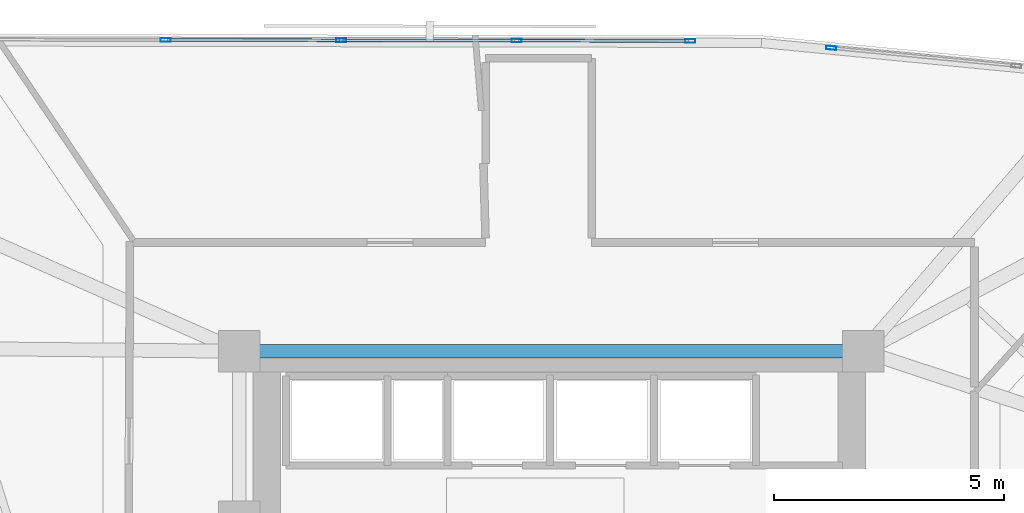
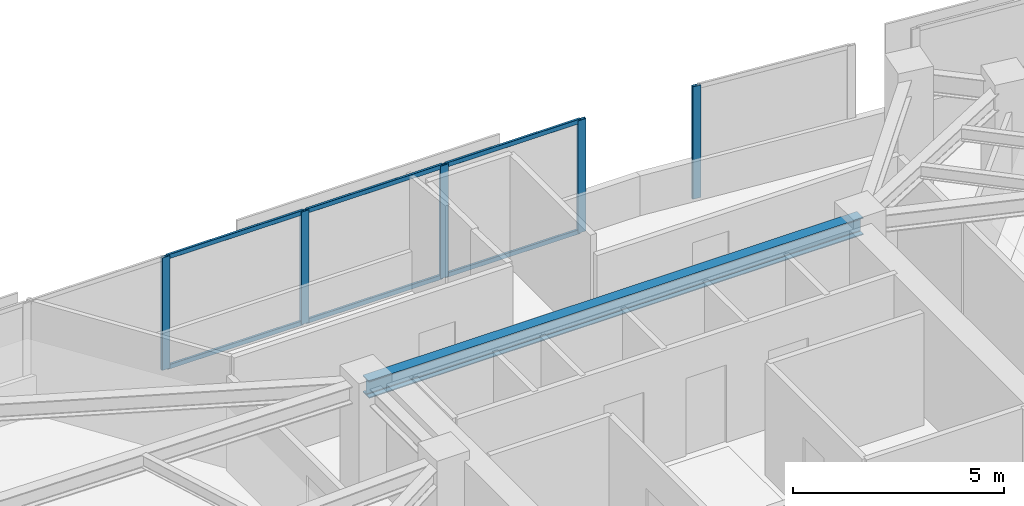
# One storey, part 3 of 13: 11 members, 1 beam, 2 elements without a shape of their own.
"""IFC4 building model written with IfcOpenShell, lengths in metres."""

from ifc_helpers import new_model, si_unit, direction, frame, origin, origin_2d, place, context, subcontext, project, spatial, hollow_rectangle, i_section, extrude, material, material_profile, profile_set, type_object, element, aggregate, save


model = new_model("IFC4")

# Units and contexts
model_context = context("Model", 3, precision=1e-05, world=origin(), true_north=direction((0.0, 1.0)))
body_context = subcontext(model_context, "Body", "Model", "MODEL_VIEW")
ifc_project = project(units=[si_unit("LENGTHUNIT", "METRE"), si_unit("AREAUNIT", "SQUARE_METRE"), si_unit("VOLUMEUNIT", "CUBIC_METRE"), si_unit("PLANEANGLEUNIT", "RADIAN"), si_unit("MASSUNIT", "GRAM", prefix="KILO")], contexts=[model_context])

# Site, building, storey
site_placement = place(None, origin())
site = spatial("IfcSite", under=ifc_project, at=site_placement, CompositionType="ELEMENT")
building_placement = place(site_placement, origin())
building = spatial("IfcBuilding", under=site, at=building_placement, Name="Narakoshi Arena Tower", CompositionType="ELEMENT")
storey_placement = place(building_placement, frame((0.0, 0.0, 257.219970703125)))
storey = spatial("IfcBuildingStorey", under=building, at=storey_placement, Name="L70", CompositionType="ELEMENT", Elevation=257.219970703125)

# Beam
ifc_material_1 = material(Name="Structural steel S355J2", Category="steel")
ifc_material_profile_1 = material_profile(ifc_material_1, i_section(OverallWidth=0.300048828125, OverallDepth=0.5, WebThickness=0.014404296875, FlangeThickness=0.028076171875, FilletRadius=0.027099609375, at=origin_2d()), Name="HE500B")
ifc_profile_set_1 = profile_set([ifc_material_profile_1], Name="Structural steel S355J2")
beam_type = type_object("IfcBeamType", Name="BM-PRI-500", PredefinedType="BEAM", material=ifc_profile_set_1)
beam_placement = place(storey_placement, frame((72.0, 56.5, 3.010009765625), z_axis=(1.0, 0.0, 0.0), x_axis=(0.0, 1.0, 0.0)))
element("IfcBeam", 1, at=beam_placement, inside=storey, type_object=beam_type, Name="L70 Core Perimeter Frame Beam CC5-CC6", PredefinedType="BEAM", context=body_context, shape_type="SweptSolid", body=[
    extrude(i_section(OverallWidth=0.300048828125, OverallDepth=0.5, WebThickness=0.014404296875, FlangeThickness=0.028076171875, FilletRadius=0.027099609375, at=origin_2d()), origin(), (0.0, 0.0, 1.0), 13.550048828125),
])

# Curtain wall, member
ifc_material_2 = material(Name="Anodised bronze aluminium 6063-T6", Category="aluminium")
curtain_wall_type = type_object("IfcCurtainWallType", Name="CW-HYP-HIGH", PredefinedType="NOTDEFINED", material=ifc_material_2)
curtain_wall_1_placement = place(storey_placement, origin())
curtain_wall_1 = element("IfcCurtainWall", 2, at=curtain_wall_1_placement, inside=storey, type_object=curtain_wall_type, Name="L70 Folded Hypotenuse Curtain Wall 1-2", PredefinedType="NOTDEFINED")
ifc_material_profile_2 = material_profile(ifc_material_2, hollow_rectangle(XDim=0.080078125, YDim=0.219970703125, WallThickness=0.0048828125, OuterFilletRadius=0.006103515625, at=origin_2d()), Name="MUL220x80x5")
ifc_profile_set_2 = profile_set([ifc_material_profile_2], Name="Anodised bronze aluminium 6063-T6")
member_type_1 = type_object("IfcMemberType", Name="MEM-MUL-220", PredefinedType="MULLION", material=ifc_profile_set_2)
member_1_placement = place(storey_placement, frame((84.853515625, 63.084716796875, 0.0), z_axis=(0.0, 0.0, 1.0), x_axis=(-0.096842858471, -0.995299683896, 0.0)))
member_1 = element("IfcMember", 3, at=member_1_placement, type_object=member_type_1, Name="CW-03 mullion 2", PredefinedType="MULLION", context=body_context, shape_type="SweptSolid", body=[
    extrude(hollow_rectangle(XDim=0.080078125, YDim=0.219970703125, WallThickness=0.0048828125, OuterFilletRadius=0.006103515625, at=origin_2d()), origin(), (0.0, 0.0, 1.0), 3.260009765625),
])
aggregate(curtain_wall_1, [member_1])

# Curtain wall, members
curtain_wall_2_placement = place(storey_placement, origin())
curtain_wall_2 = element("IfcCurtainWall", 4, at=curtain_wall_2_placement, inside=storey, type_object=curtain_wall_type, Name="L70 Folded Hypotenuse Curtain Wall 2-1", PredefinedType="NOTDEFINED")
member_2_placement = place(storey_placement, frame((81.792236328125, 63.236083984375, 0.0), z_axis=(0.0, 0.0, 1.0), x_axis=(-0.001819896899, -0.999998343986, 0.0)))
member_2 = element("IfcMember", 5, at=member_2_placement, type_object=member_type_1, Name="CW-03 mullion 1", PredefinedType="MULLION", context=body_context, shape_type="SweptSolid", body=[
    extrude(hollow_rectangle(XDim=0.080078125, YDim=0.219970703125, WallThickness=0.0048828125, OuterFilletRadius=0.006103515625, at=origin_2d()), origin(), (0.0, 0.0, 1.0), 3.260009765625),
])
member_3_placement = place(storey_placement, frame((78.0224609375, 63.242919921875, 0.0), z_axis=(0.0, 0.0, 1.0), x_axis=(-0.001819896899, -0.999998343986, 0.0)))
member_3 = element("IfcMember", 6, at=member_3_placement, type_object=member_type_1, Name="CW-03 mullion 2", PredefinedType="MULLION", context=body_context, shape_type="SweptSolid", body=[
    extrude(hollow_rectangle(XDim=0.080078125, YDim=0.219970703125, WallThickness=0.0048828125, OuterFilletRadius=0.006103515625, at=origin_2d()), origin(), (0.0, 0.0, 1.0), 3.260009765625),
])
member_4_placement = place(storey_placement, frame((74.212890625, 63.249755859375, 0.0), z_axis=(0.0, 0.0, 1.0), x_axis=(-0.001819896899, -0.999998343986, 0.0)))
member_4 = element("IfcMember", 7, at=member_4_placement, type_object=member_type_1, Name="CW-03 mullion 3", PredefinedType="MULLION", context=body_context, shape_type="SweptSolid", body=[
    extrude(hollow_rectangle(XDim=0.080078125, YDim=0.219970703125, WallThickness=0.0048828125, OuterFilletRadius=0.006103515625, at=origin_2d()), origin(), (0.0, 0.0, 1.0), 3.260009765625),
])
member_5_placement = place(storey_placement, frame((70.403076171875, 63.2568359375, 0.0), z_axis=(0.0, 0.0, 1.0), x_axis=(-0.001819896899, -0.999998343986, 0.0)))
member_5 = element("IfcMember", 8, at=member_5_placement, type_object=member_type_1, Name="CW-03 mullion 4", PredefinedType="MULLION", context=body_context, shape_type="SweptSolid", body=[
    extrude(hollow_rectangle(XDim=0.080078125, YDim=0.219970703125, WallThickness=0.0048828125, OuterFilletRadius=0.006103515625, at=origin_2d()), origin(), (0.0, 0.0, 1.0), 3.260009765625),
])
ifc_material_profile_3 = material_profile(ifc_material_2, hollow_rectangle(XDim=0.06494140625, YDim=0.1298828125, WallThickness=0.00390625, OuterFilletRadius=0.0048828125, at=origin_2d()), Name="TRN130x65x4")
ifc_profile_set_3 = profile_set([ifc_material_profile_3], Name="Anodised bronze aluminium 6063-T6")
member_type_2 = type_object("IfcMemberType", Name="MEM-TRN-130", PredefinedType="USERDEFINED", material=ifc_profile_set_3)
member_6_placement = place(storey_placement, frame((81.752197265625, 63.236083984375, 0.032470703125), z_axis=(-0.999998283738, 0.001852706408, 0.0), x_axis=(-0.001852706408, -0.999998283738, 0.0)))
member_6 = element("IfcMember", 9, at=member_6_placement, type_object=member_type_2, Name="CW-03 transom 1.1", ObjectType="TRANSOM", PredefinedType="USERDEFINED", context=body_context, shape_type="SweptSolid", body=[
    extrude(hollow_rectangle(XDim=0.06494140625, YDim=0.1298828125, WallThickness=0.00390625, OuterFilletRadius=0.0048828125, at=origin_2d()), origin(), (0.0, 0.0, 1.0), 3.689697265625),
])
member_7_placement = place(storey_placement, frame((81.752197265625, 63.236083984375, 3.2275390625), z_axis=(-0.999998283738, 0.001852706408, 0.0), x_axis=(-0.001852706408, -0.999998283738, 0.0)))
member_7 = element("IfcMember", 10, at=member_7_placement, type_object=member_type_2, Name="CW-03 transom 1.2", ObjectType="TRANSOM", PredefinedType="USERDEFINED", context=body_context, shape_type="SweptSolid", body=[
    extrude(hollow_rectangle(XDim=0.06494140625, YDim=0.1298828125, WallThickness=0.00390625, OuterFilletRadius=0.0048828125, at=origin_2d()), origin(), (0.0, 0.0, 1.0), 3.689697265625),
])
member_8_placement = place(storey_placement, frame((77.982666015625, 63.242919921875, 0.032470703125), z_axis=(-0.999998320389, 0.001832817502, 0.0), x_axis=(-0.001832817502, -0.999998320389, 0.0)))
member_8 = element("IfcMember", 11, at=member_8_placement, type_object=member_type_2, Name="CW-03 transom 2.1", ObjectType="TRANSOM", PredefinedType="USERDEFINED", context=body_context, shape_type="SweptSolid", body=[
    extrude(hollow_rectangle(XDim=0.06494140625, YDim=0.1298828125, WallThickness=0.00390625, OuterFilletRadius=0.0048828125, at=origin_2d()), origin(), (0.0, 0.0, 1.0), 3.729736328125),
])
member_9_placement = place(storey_placement, frame((77.982666015625, 63.242919921875, 3.2275390625), z_axis=(-0.999998320389, 0.001832817502, 0.0), x_axis=(-0.001832817502, -0.999998320389, 0.0)))
member_9 = element("IfcMember", 12, at=member_9_placement, type_object=member_type_2, Name="CW-03 transom 2.2", ObjectType="TRANSOM", PredefinedType="USERDEFINED", context=body_context, shape_type="SweptSolid", body=[
    extrude(hollow_rectangle(XDim=0.06494140625, YDim=0.1298828125, WallThickness=0.00390625, OuterFilletRadius=0.0048828125, at=origin_2d()), origin(), (0.0, 0.0, 1.0), 3.729736328125),
])
member_10_placement = place(storey_placement, frame((74.1728515625, 63.25, 0.032470703125), z_axis=(-0.999998320389, 0.001832817502, 0.0), x_axis=(-0.001832817502, -0.999998320389, 0.0)))
member_10 = element("IfcMember", 13, at=member_10_placement, type_object=member_type_2, Name="CW-03 transom 3.1", ObjectType="TRANSOM", PredefinedType="USERDEFINED", context=body_context, shape_type="SweptSolid", body=[
    extrude(hollow_rectangle(XDim=0.06494140625, YDim=0.1298828125, WallThickness=0.00390625, OuterFilletRadius=0.0048828125, at=origin_2d()), origin(), (0.0, 0.0, 1.0), 3.729736328125),
])
member_11_placement = place(storey_placement, frame((74.1728515625, 63.25, 3.2275390625), z_axis=(-0.999998320389, 0.001832817502, 0.0), x_axis=(-0.001832817502, -0.999998320389, 0.0)))
member_11 = element("IfcMember", 14, at=member_11_placement, type_object=member_type_2, Name="CW-03 transom 3.2", ObjectType="TRANSOM", PredefinedType="USERDEFINED", context=body_context, shape_type="SweptSolid", body=[
    extrude(hollow_rectangle(XDim=0.06494140625, YDim=0.1298828125, WallThickness=0.00390625, OuterFilletRadius=0.0048828125, at=origin_2d()), origin(), (0.0, 0.0, 1.0), 3.729736328125),
])
aggregate(curtain_wall_2, [member_2, member_3, member_4, member_5, member_6, member_7, member_8, member_9, member_10, member_11])

save(model, "model.ifc")
